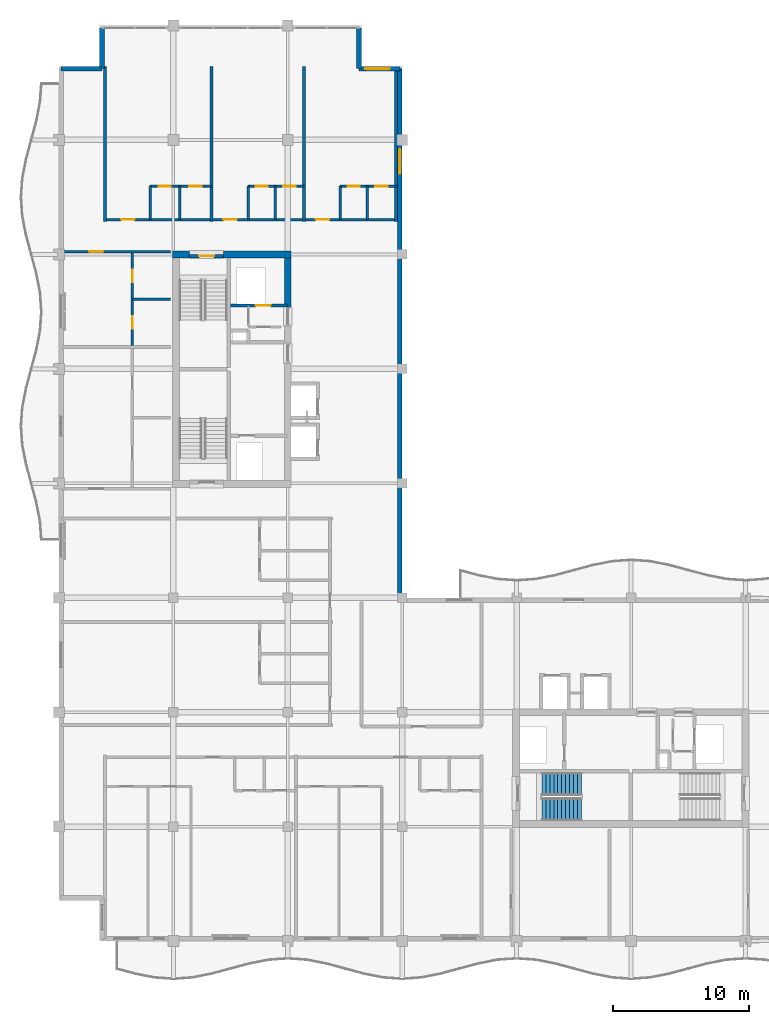
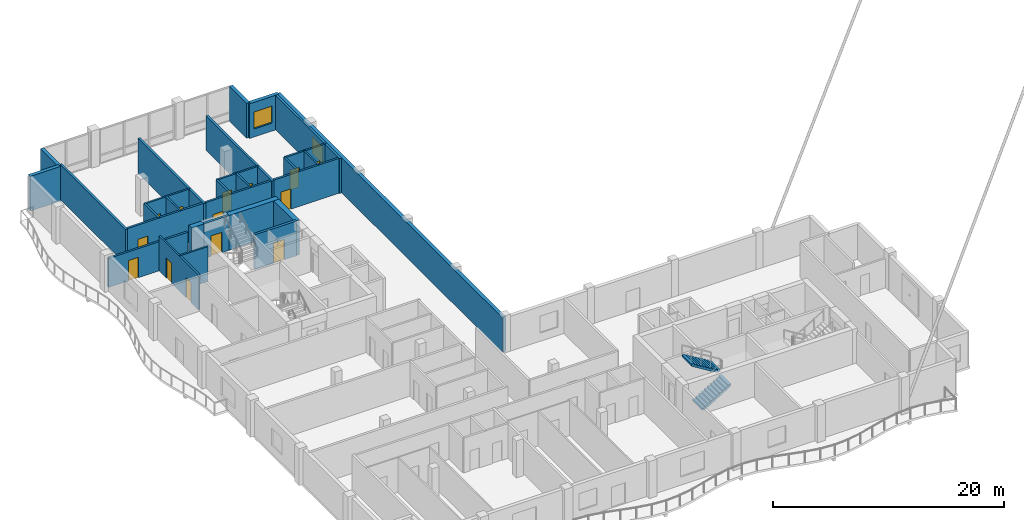
# One storey, part 11 of 17: 27 walls, 14 doors, 2 stair flights, 2 windows, 16 openings, 1 element without a shape of its own.
"""IFC4 building model written with IfcOpenShell, lengths in metres."""

from ifc_helpers import new_model, si_unit, direction, frame, frame_2d, origin, place, context, subcontext, project, spatial, polyline, rectangle, outline, extrude, material, layer, layer_set, type_object, element, fill, aggregate, save


model = new_model("IFC4")

# Units and contexts
model_context = context("Model", 3, precision=1e-05, world=origin(), true_north=direction((0.0, 1.0)))
body_context = subcontext(model_context, "Body", "Model", "MODEL_VIEW")
ifc_project = project(units=[si_unit("LENGTHUNIT", "METRE"), si_unit("AREAUNIT", "SQUARE_METRE"), si_unit("VOLUMEUNIT", "CUBIC_METRE"), si_unit("PLANEANGLEUNIT", "RADIAN"), si_unit("MASSUNIT", "GRAM", prefix="KILO")], contexts=[model_context])

# Site, building, storey
site_placement = place(None, origin())
site = spatial("IfcSite", under=ifc_project, at=site_placement, CompositionType="ELEMENT")
building_placement = place(site_placement, origin())
building = spatial("IfcBuilding", under=site, at=building_placement, Name="Koriwani Terraces Tower", CompositionType="ELEMENT")
storey_placement = place(building_placement, frame((0.0, 0.0, 332.0)))
storey = spatial("IfcBuildingStorey", under=building, at=storey_placement, Name="L82", CompositionType="ELEMENT", Elevation=332.0)

# Walls
ifc_material_1 = material(Name="Concrete C50/60", Category="concrete")
ifc_layer_1 = layer(ifc_material_1, 0.5, Name="Concrete C50/60")
ifc_layer_set_1 = layer_set([ifc_layer_1], Name="Concrete C50/60")
wall_type_1 = type_object("IfcWallType", Name="WALL_CORE_RC_500", PredefinedType="SHEAR", material=ifc_layer_set_1)
wall_1_placement = place(storey_placement, frame((16.75, 58.800048828125, 0.0), z_axis=(0.0, 0.0, 1.0), x_axis=(1.0, 0.0, 0.0)))
element("IfcWall", 1, at=wall_1_placement, inside=storey, type_object=wall_type_1, Name="L82 West Split Core Shear Wall N1", PredefinedType="SHEAR", context=body_context, shape_type="SweptSolid", body=[
    extrude(rectangle(XDim=1.25, YDim=0.5, at=frame_2d((0.625, 0.0))), origin(), (0.0, 0.0, 1.0), 3.669921875),
])
wall_2_placement = place(storey_placement, frame((20.5, 58.800048828125, 0.0), z_axis=(0.0, 0.0, 1.0), x_axis=(1.0, 0.0, 0.0)))
element("IfcWall", 2, at=wall_2_placement, inside=storey, type_object=wall_type_1, Name="L82 West Split Core Shear Wall N2", PredefinedType="SHEAR", context=body_context, shape_type="SweptSolid", body=[
    extrude(rectangle(XDim=4.949951171875, YDim=0.5, at=frame_2d((2.47509765625, 0.0))), origin(), (0.0, 0.0, 1.0), 3.669921875),
])
wall_3_placement = place(storey_placement, frame((25.199951171875, 54.949951171875, 0.0), z_axis=(0.0, 0.0, 1.0), x_axis=(0.0, 1.0, 0.0)))
element("IfcWall", 3, at=wall_3_placement, inside=storey, type_object=wall_type_1, Name="L82 West Split Core Shear Wall E3", PredefinedType="SHEAR", context=body_context, shape_type="SweptSolid", body=[
    extrude(rectangle(XDim=3.60009765625, YDim=0.5, at=frame_2d((1.800048828125, 0.0))), origin(), (0.0, 0.0, 1.0), 3.669921875),
])

# Wall, opening, door
ifc_material_2 = material(Name="Autoclaved Cellular Concrete Blockwork", Category="masonry")
ifc_layer_2 = layer(ifc_material_2, 0.199951171875, Name="Autoclaved Cellular Concrete Blockwork")
ifc_layer_set_2 = layer_set([ifc_layer_2], Name="Autoclaved Cellular Concrete Blockwork")
wall_type_2 = type_object("IfcWallType", Name="WALL_CORRIDOR_200", PredefinedType="PARTITIONING", material=ifc_layer_set_2)
wall_4_placement = place(storey_placement, frame((8.64990234375, 59.0, 0.0), z_axis=(0.0, 0.0, 1.0), x_axis=(1.0, 0.0, 0.0)))
wall_4 = element("IfcWall", 4, at=wall_4_placement, inside=storey, type_object=wall_type_2, Name="L82 Interior Wall WRZ4-WN-L82", PredefinedType="PARTITIONING", context=body_context, shape_type="SweptSolid", body=[
    extrude(rectangle(XDim=7.9501953125, YDim=0.199951171875, at=frame_2d((3.97509765625, 0.0))), origin(), (0.0, 0.0, 1.0), 3.070068359375),
])
opening_1_placement = place(wall_4_placement, frame((2.0, 0.0, 0.0)))
opening_1 = element("IfcOpeningElement", 5, at=opening_1_placement, cuts=wall_4, Name="Opening D-05", PredefinedType="OPENING", context=body_context, shape_type="SweptSolid", body=[
    extrude(rectangle(XDim=1.0, YDim=2.14990234375, at=frame_2d((0.5, 1.074951171875))), frame((0.0, 0.10986328125, 0.0), z_axis=(0.0, -1.0, 0.0), x_axis=(1.0, 0.0, 0.0)), (0.0, 0.0, 1.0), 0.219970703125),
])
ifc_material_3 = material(Name="Architectural Oak Fire Door", Category="wood")
door_type_1 = type_object("IfcDoorType", Name="DOOR_SUITE_ENTRY_1000X2150", OperationType="NOTDEFINED", PredefinedType="DOOR", material=ifc_material_3)
door_1_placement = place(opening_1_placement, origin())
door_1 = element("IfcDoor", 6, at=door_1_placement, inside=storey, type_object=door_type_1, Name="Apartment 82RW2 Entrance Door", OperationType="SINGLE_SWING_RIGHT", OverallHeight=2.14990234375, OverallWidth=1.0, PredefinedType="DOOR", context=body_context, shape_type="SweptSolid", body=[
    extrude(rectangle(XDim=1.0, YDim=2.14990234375, at=frame_2d((0.5, 1.074951171875))), frame((0.0, 0.02490234375, 0.0), z_axis=(0.0, -1.0, 0.0), x_axis=(1.0, 0.0, 0.0)), (0.0, 0.0, 1.0), 0.050048828125),
])
fill(opening_1, door_1)

# Wall, openings, doors
wall_5_placement = place(storey_placement, frame((11.800048828125, 61.35009765625, 0.0), z_axis=(0.0, 0.0, 1.0), x_axis=(1.0, 0.0, 0.0)))
wall_5 = element("IfcWall", 7, at=wall_5_placement, inside=storey, type_object=wall_type_2, Name="L82 Interior Wall WRCOR-L82-NTS-0", PredefinedType="PARTITIONING", context=body_context, shape_type="SweptSolid", body=[
    extrude(rectangle(XDim=21.349853515625, YDim=0.199951171875, at=frame_2d((10.6748046875, 0.0))), origin(), (0.0, 0.0, 1.0), 3.669921875),
])
opening_2_placement = place(wall_5_placement, frame((1.169921875, 0.0, 0.0)))
opening_2 = element("IfcOpeningElement", 8, at=opening_2_placement, cuts=wall_5, Name="Opening D-05", PredefinedType="OPENING", context=body_context, shape_type="SweptSolid", body=[
    extrude(rectangle(XDim=1.0, YDim=2.14990234375, at=frame_2d((0.5, 1.074951171875))), frame((0.0, 0.10986328125, 0.0), z_axis=(0.0, -1.0, 0.0), x_axis=(1.0, 0.0, 0.0)), (0.0, 0.0, 1.0), 0.219970703125),
])
opening_3_placement = place(wall_5_placement, frame((8.669921875, 0.0, 0.0)))
opening_3 = element("IfcOpeningElement", 9, at=opening_3_placement, cuts=wall_5, Name="Opening D-05", PredefinedType="OPENING", context=body_context, shape_type="SweptSolid", body=[
    extrude(rectangle(XDim=1.0, YDim=2.14990234375, at=frame_2d((0.5, 1.074951171875))), frame((0.0, 0.10986328125, 0.0), z_axis=(0.0, -1.0, 0.0), x_axis=(1.0, 0.0, 0.0)), (0.0, 0.0, 1.0), 0.219970703125),
])
opening_4_placement = place(wall_5_placement, frame((15.445068359375, 0.0, 0.0)))
opening_4 = element("IfcOpeningElement", 10, at=opening_4_placement, cuts=wall_5, Name="Opening D-05", PredefinedType="OPENING", context=body_context, shape_type="SweptSolid", body=[
    extrude(rectangle(XDim=1.0, YDim=2.14990234375, at=frame_2d((0.5, 1.074951171875))), frame((0.0, 0.10986328125, 0.0), z_axis=(0.0, -1.0, 0.0), x_axis=(1.0, 0.0, 0.0)), (0.0, 0.0, 1.0), 0.219970703125),
])
door_2_placement = place(opening_2_placement, origin())
door_2 = element("IfcDoor", 11, at=door_2_placement, inside=storey, type_object=door_type_1, Name="Apartment 82NTS1 Entrance Door", OperationType="SINGLE_SWING_LEFT", OverallHeight=2.14990234375, OverallWidth=1.0, PredefinedType="DOOR", context=body_context, shape_type="SweptSolid", body=[
    extrude(rectangle(XDim=1.0, YDim=2.14990234375, at=frame_2d((0.5, 1.074951171875))), frame((0.0, 0.02490234375, 0.0), z_axis=(0.0, -1.0, 0.0), x_axis=(1.0, 0.0, 0.0)), (0.0, 0.0, 1.0), 0.050048828125),
])
fill(opening_2, door_2)
door_3_placement = place(opening_3_placement, origin())
door_3 = element("IfcDoor", 12, at=door_3_placement, inside=storey, type_object=door_type_1, Name="Apartment 82NTS2 Entrance Door", OperationType="SINGLE_SWING_RIGHT", OverallHeight=2.14990234375, OverallWidth=1.0, PredefinedType="DOOR", context=body_context, shape_type="SweptSolid", body=[
    extrude(rectangle(XDim=1.0, YDim=2.14990234375, at=frame_2d((0.5, 1.074951171875))), frame((0.0, 0.02490234375, 0.0), z_axis=(0.0, -1.0, 0.0), x_axis=(1.0, 0.0, 0.0)), (0.0, 0.0, 1.0), 0.050048828125),
])
fill(opening_3, door_3)
door_4_placement = place(opening_4_placement, origin())
door_4 = element("IfcDoor", 13, at=door_4_placement, inside=storey, type_object=door_type_1, Name="Apartment 82NTS3 Entrance Door", OperationType="SINGLE_SWING_LEFT", OverallHeight=2.14990234375, OverallWidth=1.0, PredefinedType="DOOR", context=body_context, shape_type="SweptSolid", body=[
    extrude(rectangle(XDim=1.0, YDim=2.14990234375, at=frame_2d((0.5, 1.074951171875))), frame((0.0, 0.02490234375, 0.0), z_axis=(0.0, -1.0, 0.0), x_axis=(1.0, 0.0, 0.0)), (0.0, 0.0, 1.0), 0.050048828125),
])
fill(opening_4, door_4)

# Walls
ifc_layer_3 = layer(ifc_material_2, 0.219970703125, Name="Autoclaved Cellular Concrete Blockwork")
ifc_layer_set_3 = layer_set([ifc_layer_3], Name="Autoclaved Cellular Concrete Blockwork")
wall_type_3 = type_object("IfcWallType", Name="WALL_DEMISING_220", PredefinedType="PARTITIONING", material=ifc_layer_set_3)
for number, where, z_axis, x_axis, name in (
    (14, (11.800048828125, 61.199951171875, 0.0), (0.0, 0.0, 1.0), (0.0, 1.0, 0.0), "L82 Interior Wall WRDEM-L82-NTS-0"),
    (15, (19.60009765625, 61.199951171875, 0.0), (0.0, 0.0, 1.0), (0.0, 1.0, 0.0), "L82 Interior Wall WRDEM-L82-NTS-1"),
    (16, (26.39990234375, 61.199951171875, 0.0), (0.0, 0.0, 1.0), (0.0, 1.0, 0.0), "L82 Interior Wall WRDEM-L82-NTS-2"),
    (17, (33.14990234375, 61.199951171875, 0.0), (0.0, 0.0, 1.0), (0.0, 1.0, 0.0), "L82 Interior Wall WRDEME-L82-NTS"),
):
    element("IfcWall", number, at=place(storey_placement, frame(where, z_axis=z_axis, x_axis=x_axis)), inside=storey, type_object=wall_type_3, Name=name, PredefinedType="PARTITIONING", context=body_context, shape_type="SweptSolid", body=[
        extrude(rectangle(XDim=11.380126953125, YDim=0.219970703125, at=frame_2d((5.68994140625, 0.0))), origin(), (0.0, 0.0, 1.0), 3.669921875),
    ])
ifc_layer_4 = layer(ifc_material_1, 0.35009765625, Name="Concrete C50/60")
ifc_layer_set_4 = layer_set([ifc_layer_4], Name="Concrete C50/60")
wall_type_4 = type_object("IfcWallType", Name="WALL_EXT_BRUTALIST_350", PredefinedType="STANDARD", material=ifc_layer_set_4)
for number, where, z_axis, x_axis, name in (
    (18, (8.574951171875, 72.425048828125, 0.0), (0.0, 0.0, 1.0), (1.0, 0.0, 0.0), "L82 Fair-Faced Brutalist Exterior Wall (N3)"),
    (19, (11.574951171875, 72.425048828125, 0.0), (0.0, 0.0, 1.0), (0.0, 1.0, 0.0), "L82 Fair-Faced Brutalist Exterior Wall (N4)"),
    (20, (30.425048828125, 75.425048828125, 0.0), (0.0, 0.0, 1.0), (0.0, -1.0, 0.0), "L82 Fair-Faced Brutalist Exterior Wall (N6)"),
):
    element("IfcWall", number, at=place(storey_placement, frame(where, z_axis=z_axis, x_axis=x_axis)), inside=storey, type_object=wall_type_4, Name=name, PredefinedType="STANDARD", context=body_context, shape_type="SweptSolid", body=[
        extrude(rectangle(XDim=3.0, YDim=0.35009765625, at=frame_2d((1.5, 0.0))), origin(), (0.0, 0.0, 1.0), 3.669921875),
    ])

# Wall, opening, window
wall_6_placement = place(storey_placement, frame((30.425048828125, 72.425048828125, 0.0), z_axis=(0.0, 0.0, 1.0), x_axis=(1.0, 0.0, 0.0)))
wall_6 = element("IfcWall", 21, at=wall_6_placement, inside=storey, type_object=wall_type_4, Name="L82 Fair-Faced Brutalist Exterior Wall (N7)", PredefinedType="STANDARD", context=body_context, shape_type="SweptSolid", body=[
    extrude(rectangle(XDim=3.0, YDim=0.35009765625, at=frame_2d((1.5, 0.0))), origin(), (0.0, 0.0, 1.0), 3.669921875),
])
opening_5_placement = place(wall_6_placement, frame((0.472412109375, 0.0, 0.85009765625)))
opening_5 = element("IfcOpeningElement", 22, at=opening_5_placement, cuts=wall_6, Name="Opening W-04", PredefinedType="OPENING", context=body_context, shape_type="SweptSolid", body=[
    extrude(rectangle(XDim=1.800048828125, YDim=1.800048828125, at=frame_2d((0.89990234375, 0.89990234375))), frame((0.0, 0.18505859375, 0.0), z_axis=(0.0, -1.0, 0.0), x_axis=(1.0, 0.0, 0.0)), (0.0, 0.0, 1.0), 0.3701171875),
])
ifc_material_4 = material(Name="Tempered Laminated Low-E Glass", Category="glass")
window_type = type_object("IfcWindowType", Name="WIN_RES_BED_1800X1800", PartitioningType="DOUBLE_PANEL_VERTICAL", PredefinedType="WINDOW", material=ifc_material_4)
window_1_placement = place(opening_5_placement, origin())
window_1 = element("IfcWindow", 23, at=window_1_placement, inside=storey, type_object=window_type, Name="L82 Exterior Window (N7-R56)", OverallHeight=1.800048828125, OverallWidth=1.800048828125, PartitioningType="SINGLE_PANEL", PredefinedType="WINDOW", context=body_context, shape_type="SweptSolid", body=[
    extrude(rectangle(XDim=1.800048828125, YDim=1.800048828125, at=frame_2d((0.89990234375, 0.89990234375))), frame((0.0, 0.030029296875, 0.0), z_axis=(0.0, -1.0, 0.0), x_axis=(1.0, 0.0, 0.0)), (0.0, 0.0, 1.0), 0.06005859375),
])
fill(opening_5, window_1)

wall_7_placement = place(storey_placement, frame((33.425048828125, 72.425048828125, 0.0), z_axis=(0.0, 0.0, 1.0), x_axis=(0.0, -1.0, 0.0)))
wall_7 = element("IfcWall", 24, at=wall_7_placement, inside=storey, type_object=wall_type_4, Name="L82 Fair-Faced Brutalist Exterior Wall (NW_IN)", PredefinedType="STANDARD", context=body_context, shape_type="SweptSolid", body=[
    extrude(rectangle(XDim=39.0, YDim=0.35009765625, at=frame_2d((19.5, 0.0))), origin(), (0.0, 0.0, 1.0), 3.669921875),
])
opening_6_placement = place(wall_7_placement, frame((5.89990234375, 0.0, 0.85009765625)))
opening_6 = element("IfcOpeningElement", 25, at=opening_6_placement, cuts=wall_7, Name="Opening W-04", PredefinedType="OPENING", context=body_context, shape_type="SweptSolid", body=[
    extrude(rectangle(XDim=1.800048828125, YDim=1.800048828125, at=frame_2d((0.89990234375, 0.89990234375))), frame((0.0, 0.18505859375, 0.0), z_axis=(0.0, -1.0, 0.0), x_axis=(1.0, 0.0, 0.0)), (0.0, 0.0, 1.0), 0.3701171875),
])
window_2_placement = place(opening_6_placement, origin())
window_2 = element("IfcWindow", 26, at=window_2_placement, inside=storey, type_object=window_type, Name="L82 Exterior Window (NW_IN-R56)", OverallHeight=1.800048828125, OverallWidth=1.800048828125, PartitioningType="SINGLE_PANEL", PredefinedType="WINDOW", context=body_context, shape_type="SweptSolid", body=[
    extrude(rectangle(XDim=1.800048828125, YDim=1.800048828125, at=frame_2d((0.89990234375, 0.89990234375))), frame((0.0, 0.030029296875, 0.0), z_axis=(0.0, -1.0, 0.0), x_axis=(1.0, 0.0, 0.0)), (0.0, 0.0, 1.0), 0.06005859375),
])
fill(opening_6, window_2)

# Wall, openings, doors
ifc_material_5 = material(Name="Fire-Rated Acoustic Gypsum Partition", Category="masonry")
ifc_layer_5 = layer(ifc_material_5, 0.179931640625, Name="Fire-Rated Acoustic Gypsum Partition")
ifc_layer_set_5 = layer_set([ifc_layer_5], Name="Fire-Rated Acoustic Gypsum Partition")
wall_type_5 = type_object("IfcWallType", Name="WALL_PLUMBING_180", PredefinedType="PLUMBINGWALL", material=ifc_layer_set_5)
wall_8_placement = place(storey_placement, frame((13.800048828125, 52.10009765625, 0.0), z_axis=(0.0, 0.0, 1.0), x_axis=(0.0, 1.0, 0.0)))
wall_8 = element("IfcWall", 27, at=wall_8_placement, inside=storey, type_object=wall_type_5, Name="L82 Interior Wall WRZ4-RW2-PB-L82", PredefinedType="PLUMBINGWALL", context=body_context, shape_type="SweptSolid", body=[
    extrude(rectangle(XDim=6.7998046875, YDim=0.179931640625, at=frame_2d((3.39990234375, 0.0))), origin(), (0.0, 0.0, 1.0), 3.669921875),
])
opening_7_placement = place(wall_8_placement, frame((1.25, 0.0, 0.0)))
opening_7 = element("IfcOpeningElement", 28, at=opening_7_placement, cuts=wall_8, Name="Opening D-07", PredefinedType="OPENING", context=body_context, shape_type="SweptSolid", body=[
    extrude(rectangle(XDim=0.89990234375, YDim=2.10009765625, at=frame_2d((0.449951171875, 1.050048828125))), frame((0.0, 0.10009765625, 0.0), z_axis=(0.0, -1.0, 0.0), x_axis=(1.0, 0.0, 0.0)), (0.0, 0.0, 1.0), 0.199951171875),
])
opening_8_placement = place(wall_8_placement, frame((4.639892578125, 0.0, 0.0)))
opening_8 = element("IfcOpeningElement", 29, at=opening_8_placement, cuts=wall_8, Name="Opening D-06", PredefinedType="OPENING", context=body_context, shape_type="SweptSolid", body=[
    extrude(rectangle(XDim=0.919921875, YDim=2.10009765625, at=frame_2d((0.4599609375, 1.050048828125))), frame((0.0, 0.10009765625, 0.0), z_axis=(0.0, -1.0, 0.0), x_axis=(1.0, 0.0, 0.0)), (0.0, 0.0, 1.0), 0.199951171875),
])
door_type_2 = type_object("IfcDoorType", Name="DOOR_BATH_INT_900X2100", OperationType="NOTDEFINED", PredefinedType="DOOR", material=ifc_material_3)
door_5_placement = place(opening_7_placement, origin())
door_5 = element("IfcDoor", 30, at=door_5_placement, inside=storey, type_object=door_type_2, Name="Apartment 82RW2 Bathroom Door", OperationType="SINGLE_SWING_LEFT", OverallHeight=2.10009765625, OverallWidth=0.89990234375, PredefinedType="DOOR", context=body_context, shape_type="SweptSolid", body=[
    extrude(rectangle(XDim=0.89990234375, YDim=2.10009765625, at=frame_2d((0.449951171875, 1.050048828125))), frame((0.0, 0.02490234375, 0.0), z_axis=(0.0, -1.0, 0.0), x_axis=(1.0, 0.0, 0.0)), (0.0, 0.0, 1.0), 0.050048828125),
])
fill(opening_7, door_5)
door_type_3 = type_object("IfcDoorType", Name="DOOR_ROOM_INT_920X2100", OperationType="NOTDEFINED", PredefinedType="DOOR", material=ifc_material_3)
door_6_placement = place(opening_8_placement, origin())
door_6 = element("IfcDoor", 31, at=door_6_placement, inside=storey, type_object=door_type_3, Name="Apartment 82RW2 Kitchen Door", OperationType="SINGLE_SWING_RIGHT", OverallHeight=2.10009765625, OverallWidth=0.919921875, PredefinedType="DOOR", context=body_context, shape_type="SweptSolid", body=[
    extrude(rectangle(XDim=0.919921875, YDim=2.10009765625, at=frame_2d((0.4599609375, 1.050048828125))), frame((0.0, 0.02490234375, 0.0), z_axis=(0.0, -1.0, 0.0), x_axis=(1.0, 0.0, 0.0)), (0.0, 0.0, 1.0), 0.050048828125),
])
fill(opening_8, door_6)

# Wall
wall_9_placement = place(storey_placement, frame((13.800048828125, 55.5, 0.0), z_axis=(0.0, 0.0, 1.0), x_axis=(1.0, 0.0, 0.0)))
element("IfcWall", 32, at=wall_9_placement, inside=storey, type_object=wall_type_5, Name="L82 Interior Wall WRZ4-RW2-P2-L82", PredefinedType="PLUMBINGWALL", context=body_context, shape_type="SweptSolid", body=[
    extrude(rectangle(XDim=2.800048828125, YDim=0.179931640625, at=frame_2d((1.39990234375, 0.0))), origin(), (0.0, 0.0, 1.0), 3.669921875),
])

# Wall, openings, doors
wall_10_placement = place(storey_placement, frame((15.10009765625, 63.800048828125, 0.0), z_axis=(0.0, 0.0, 1.0), x_axis=(1.0, 0.0, 0.0)))
wall_10 = element("IfcWall", 33, at=wall_10_placement, inside=storey, type_object=wall_type_5, Name="L82 Interior Wall WRSVC-L82-NTS-0", PredefinedType="PLUMBINGWALL", context=body_context, shape_type="SweptSolid", body=[
    extrude(rectangle(XDim=4.5, YDim=0.179931640625, at=frame_2d((2.25, 0.0))), origin(), (0.0, 0.0, 1.0), 3.669921875),
])
opening_9_placement = place(wall_10_placement, frame((0.6298828125, 0.0, 0.0)))
opening_9 = element("IfcOpeningElement", 34, at=opening_9_placement, cuts=wall_10, Name="Opening D-07", PredefinedType="OPENING", context=body_context, shape_type="SweptSolid", body=[
    extrude(rectangle(XDim=0.89990234375, YDim=2.10009765625, at=frame_2d((0.449951171875, 1.050048828125))), frame((0.0, 0.10009765625, 0.0), z_axis=(0.0, -1.0, 0.0), x_axis=(1.0, 0.0, 0.0)), (0.0, 0.0, 1.0), 0.199951171875),
])
opening_10_placement = place(wall_10_placement, frame((2.8701171875, 0.0, 0.0)))
opening_10 = element("IfcOpeningElement", 35, at=opening_10_placement, cuts=wall_10, Name="Opening D-06", PredefinedType="OPENING", context=body_context, shape_type="SweptSolid", body=[
    extrude(rectangle(XDim=0.919921875, YDim=2.10009765625, at=frame_2d((0.4599609375, 1.050048828125))), frame((0.0, 0.10009765625, 0.0), z_axis=(0.0, -1.0, 0.0), x_axis=(1.0, 0.0, 0.0)), (0.0, 0.0, 1.0), 0.199951171875),
])
door_7_placement = place(opening_9_placement, origin())
door_7 = element("IfcDoor", 36, at=door_7_placement, inside=storey, type_object=door_type_2, Name="Apartment 82NTS1 Bathroom Door", OperationType="SINGLE_SWING_RIGHT", OverallHeight=2.10009765625, OverallWidth=0.89990234375, PredefinedType="DOOR", context=body_context, shape_type="SweptSolid", body=[
    extrude(rectangle(XDim=0.89990234375, YDim=2.10009765625, at=frame_2d((0.449951171875, 1.050048828125))), frame((0.0, 0.02490234375, 0.0), z_axis=(0.0, -1.0, 0.0), x_axis=(1.0, 0.0, 0.0)), (0.0, 0.0, 1.0), 0.050048828125),
])
fill(opening_9, door_7)
door_8_placement = place(opening_10_placement, origin())
door_8 = element("IfcDoor", 37, at=door_8_placement, inside=storey, type_object=door_type_3, Name="Apartment 82NTS1 Kitchen Door", OperationType="SINGLE_SWING_LEFT", OverallHeight=2.10009765625, OverallWidth=0.919921875, PredefinedType="DOOR", context=body_context, shape_type="SweptSolid", body=[
    extrude(rectangle(XDim=0.919921875, YDim=2.10009765625, at=frame_2d((0.4599609375, 1.050048828125))), frame((0.0, 0.02490234375, 0.0), z_axis=(0.0, -1.0, 0.0), x_axis=(1.0, 0.0, 0.0)), (0.0, 0.0, 1.0), 0.050048828125),
])
fill(opening_10, door_8)

# Walls
for number, where, z_axis, x_axis, name in (
    (38, (15.10009765625, 61.35009765625, 0.0), (0.0, 0.0, 1.0), (0.0, 1.0, 0.0), "L82 Interior Wall WRSVCS-L82-NTS-0"),
    (39, (17.260009765625, 61.35009765625, 0.0), (0.0, 0.0, 1.0), (0.0, 1.0, 0.0), "L82 Interior Wall WRSVCM-L82-NTS-0"),
):
    element("IfcWall", number, at=place(storey_placement, frame(where, z_axis=z_axis, x_axis=x_axis)), inside=storey, type_object=wall_type_5, Name=name, PredefinedType="PLUMBINGWALL", context=body_context, shape_type="SweptSolid", body=[
        extrude(rectangle(XDim=2.449951171875, YDim=0.179931640625, at=frame_2d((1.22509765625, 0.0))), origin(), (0.0, 0.0, 1.0), 3.669921875),
    ])

# Wall, openings, doors
wall_11_placement = place(storey_placement, frame((22.300048828125, 63.800048828125, 0.0), z_axis=(0.0, 0.0, 1.0), x_axis=(1.0, 0.0, 0.0)))
wall_11 = element("IfcWall", 40, at=wall_11_placement, inside=storey, type_object=wall_type_5, Name="L82 Interior Wall WRSVC-L82-NTS-1", PredefinedType="PLUMBINGWALL", context=body_context, shape_type="SweptSolid", body=[
    extrude(rectangle(XDim=4.099853515625, YDim=0.179931640625, at=frame_2d((2.0498046875, 0.0))), origin(), (0.0, 0.0, 1.0), 3.669921875),
])
opening_11_placement = place(wall_11_placement, frame((0.533935546875, 0.0, 0.0)))
opening_11 = element("IfcOpeningElement", 41, at=opening_11_placement, cuts=wall_11, Name="Opening D-07", PredefinedType="OPENING", context=body_context, shape_type="SweptSolid", body=[
    extrude(rectangle(XDim=0.89990234375, YDim=2.10009765625, at=frame_2d((0.449951171875, 1.050048828125))), frame((0.0, 0.10009765625, 0.0), z_axis=(0.0, -1.0, 0.0), x_axis=(1.0, 0.0, 0.0)), (0.0, 0.0, 1.0), 0.199951171875),
])
opening_12_placement = place(wall_11_placement, frame((2.573974609375, 0.0, 0.0)))
opening_12 = element("IfcOpeningElement", 42, at=opening_12_placement, cuts=wall_11, Name="Opening D-06", PredefinedType="OPENING", context=body_context, shape_type="SweptSolid", body=[
    extrude(rectangle(XDim=0.919921875, YDim=2.10009765625, at=frame_2d((0.4599609375, 1.050048828125))), frame((0.0, 0.10009765625, 0.0), z_axis=(0.0, -1.0, 0.0), x_axis=(1.0, 0.0, 0.0)), (0.0, 0.0, 1.0), 0.199951171875),
])
door_9_placement = place(opening_11_placement, origin())
door_9 = element("IfcDoor", 43, at=door_9_placement, inside=storey, type_object=door_type_2, Name="Apartment 82NTS2 Bathroom Door", OperationType="SINGLE_SWING_LEFT", OverallHeight=2.10009765625, OverallWidth=0.89990234375, PredefinedType="DOOR", context=body_context, shape_type="SweptSolid", body=[
    extrude(rectangle(XDim=0.89990234375, YDim=2.10009765625, at=frame_2d((0.449951171875, 1.050048828125))), frame((0.0, 0.02490234375, 0.0), z_axis=(0.0, -1.0, 0.0), x_axis=(1.0, 0.0, 0.0)), (0.0, 0.0, 1.0), 0.050048828125),
])
fill(opening_11, door_9)
door_10_placement = place(opening_12_placement, origin())
door_10 = element("IfcDoor", 44, at=door_10_placement, inside=storey, type_object=door_type_3, Name="Apartment 82NTS2 Kitchen Door", OperationType="SINGLE_SWING_RIGHT", OverallHeight=2.10009765625, OverallWidth=0.919921875, PredefinedType="DOOR", context=body_context, shape_type="SweptSolid", body=[
    extrude(rectangle(XDim=0.919921875, YDim=2.10009765625, at=frame_2d((0.4599609375, 1.050048828125))), frame((0.0, 0.02490234375, 0.0), z_axis=(0.0, -1.0, 0.0), x_axis=(1.0, 0.0, 0.0)), (0.0, 0.0, 1.0), 0.050048828125),
])
fill(opening_12, door_10)

# Walls
for number, where, z_axis, x_axis, name in (
    (45, (22.300048828125, 61.35009765625, 0.0), (0.0, 0.0, 1.0), (0.0, 1.0, 0.0), "L82 Interior Wall WRSVCS-L82-NTS-1"),
    (46, (24.26806640625, 61.35009765625, 0.0), (0.0, 0.0, 1.0), (0.0, 1.0, 0.0), "L82 Interior Wall WRSVCM-L82-NTS-1"),
):
    element("IfcWall", number, at=place(storey_placement, frame(where, z_axis=z_axis, x_axis=x_axis)), inside=storey, type_object=wall_type_5, Name=name, PredefinedType="PLUMBINGWALL", context=body_context, shape_type="SweptSolid", body=[
        extrude(rectangle(XDim=2.449951171875, YDim=0.179931640625, at=frame_2d((1.22509765625, 0.0))), origin(), (0.0, 0.0, 1.0), 3.669921875),
    ])

# Wall, openings, doors
wall_12_placement = place(storey_placement, frame((29.050048828125, 63.800048828125, 0.0), z_axis=(0.0, 0.0, 1.0), x_axis=(1.0, 0.0, 0.0)))
wall_12 = element("IfcWall", 47, at=wall_12_placement, inside=storey, type_object=wall_type_5, Name="L82 Interior Wall WRSVC-L82-NTS-2", PredefinedType="PLUMBINGWALL", context=body_context, shape_type="SweptSolid", body=[
    extrude(rectangle(XDim=4.099853515625, YDim=0.179931640625, at=frame_2d((2.0498046875, 0.0))), origin(), (0.0, 0.0, 1.0), 3.669921875),
])
opening_13_placement = place(wall_12_placement, frame((0.533935546875, 0.0, 0.0)))
opening_13 = element("IfcOpeningElement", 48, at=opening_13_placement, cuts=wall_12, Name="Opening D-07", PredefinedType="OPENING", context=body_context, shape_type="SweptSolid", body=[
    extrude(rectangle(XDim=0.89990234375, YDim=2.10009765625, at=frame_2d((0.449951171875, 1.050048828125))), frame((0.0, 0.10009765625, 0.0), z_axis=(0.0, -1.0, 0.0), x_axis=(1.0, 0.0, 0.0)), (0.0, 0.0, 1.0), 0.199951171875),
])
opening_14_placement = place(wall_12_placement, frame((2.573974609375, 0.0, 0.0)))
opening_14 = element("IfcOpeningElement", 49, at=opening_14_placement, cuts=wall_12, Name="Opening D-06", PredefinedType="OPENING", context=body_context, shape_type="SweptSolid", body=[
    extrude(rectangle(XDim=0.919921875, YDim=2.10009765625, at=frame_2d((0.4599609375, 1.050048828125))), frame((0.0, 0.10009765625, 0.0), z_axis=(0.0, -1.0, 0.0), x_axis=(1.0, 0.0, 0.0)), (0.0, 0.0, 1.0), 0.199951171875),
])
door_11_placement = place(opening_13_placement, origin())
door_11 = element("IfcDoor", 50, at=door_11_placement, inside=storey, type_object=door_type_2, Name="Apartment 82NTS3 Bathroom Door", OperationType="SINGLE_SWING_RIGHT", OverallHeight=2.10009765625, OverallWidth=0.89990234375, PredefinedType="DOOR", context=body_context, shape_type="SweptSolid", body=[
    extrude(rectangle(XDim=0.89990234375, YDim=2.10009765625, at=frame_2d((0.449951171875, 1.050048828125))), frame((0.0, 0.02490234375, 0.0), z_axis=(0.0, -1.0, 0.0), x_axis=(1.0, 0.0, 0.0)), (0.0, 0.0, 1.0), 0.050048828125),
])
fill(opening_13, door_11)
door_12_placement = place(opening_14_placement, origin())
door_12 = element("IfcDoor", 51, at=door_12_placement, inside=storey, type_object=door_type_3, Name="Apartment 82NTS3 Kitchen Door", OperationType="SINGLE_SWING_LEFT", OverallHeight=2.10009765625, OverallWidth=0.919921875, PredefinedType="DOOR", context=body_context, shape_type="SweptSolid", body=[
    extrude(rectangle(XDim=0.919921875, YDim=2.10009765625, at=frame_2d((0.4599609375, 1.050048828125))), frame((0.0, 0.02490234375, 0.0), z_axis=(0.0, -1.0, 0.0), x_axis=(1.0, 0.0, 0.0)), (0.0, 0.0, 1.0), 0.050048828125),
])
fill(opening_14, door_12)

# Walls
for number, where, z_axis, x_axis, name in (
    (52, (29.050048828125, 61.35009765625, 0.0), (0.0, 0.0, 1.0), (0.0, 1.0, 0.0), "L82 Interior Wall WRSVCS-L82-NTS-2"),
    (53, (31.01806640625, 61.35009765625, 0.0), (0.0, 0.0, 1.0), (0.0, 1.0, 0.0), "L82 Interior Wall WRSVCM-L82-NTS-2"),
):
    element("IfcWall", number, at=place(storey_placement, frame(where, z_axis=z_axis, x_axis=x_axis)), inside=storey, type_object=wall_type_5, Name=name, PredefinedType="PLUMBINGWALL", context=body_context, shape_type="SweptSolid", body=[
        extrude(rectangle(XDim=2.449951171875, YDim=0.179931640625, at=frame_2d((1.22509765625, 0.0))), origin(), (0.0, 0.0, 1.0), 3.669921875),
    ])

# Wall, opening, door
ifc_material_6 = material(Name="Concrete C40/50", Category="concrete")
ifc_layer_6 = layer(ifc_material_6, 0.25, Name="Concrete C40/50")
ifc_layer_set_6 = layer_set([ifc_layer_6], Name="Concrete C40/50")
wall_type_6 = type_object("IfcWallType", Name="WALL_SHAFT_RATED_250", PredefinedType="SOLIDWALL", material=ifc_layer_set_6)
wall_13_placement = place(storey_placement, frame((18.0, 58.675048828125, 0.0), z_axis=(0.0, 0.0, 1.0), x_axis=(1.0, 0.0, 0.0)))
wall_13 = element("IfcWall", 54, at=wall_13_placement, inside=storey, type_object=wall_type_6, Name="L82 Interior Wall WIN-CW-L82-STN", PredefinedType="SOLIDWALL", context=body_context, shape_type="SweptSolid", body=[
    extrude(rectangle(XDim=2.5, YDim=0.25, at=frame_2d((1.25, 0.0))), origin(), (0.0, 0.0, 1.0), 3.669921875),
])
opening_15_placement = place(wall_13_placement, frame((0.699951171875, 0.0, 0.0)))
opening_15 = element("IfcOpeningElement", 55, at=opening_15_placement, cuts=wall_13, Name="Opening D-03", PredefinedType="OPENING", context=body_context, shape_type="SweptSolid", body=[
    extrude(rectangle(XDim=1.10009765625, YDim=2.14990234375, at=frame_2d((0.550048828125, 1.074951171875))), frame((0.0, 0.135009765625, 0.0), z_axis=(0.0, -1.0, 0.0), x_axis=(1.0, 0.0, 0.0)), (0.0, 0.0, 1.0), 0.27001953125),
])
ifc_material_7 = material(Name="Steel ASTM A572 Grade 50", Category="steel")
door_type_4 = type_object("IfcDoorType", Name="DOOR_STAIR_FIRE_1100X2150", OperationType="NOTDEFINED", PredefinedType="DOOR", material=ifc_material_7)
door_13_placement = place(opening_15_placement, origin())
door_13 = element("IfcDoor", 56, at=door_13_placement, inside=storey, type_object=door_type_4, Name="L82 Exit Stair ST-W2 Door", OperationType="SINGLE_SWING_LEFT", OverallHeight=2.14990234375, OverallWidth=1.10009765625, PredefinedType="DOOR", context=body_context, shape_type="SweptSolid", body=[
    extrude(rectangle(XDim=1.10009765625, YDim=2.14990234375, at=frame_2d((0.550048828125, 1.074951171875))), frame((0.0, 0.02490234375, 0.0), z_axis=(0.0, -1.0, 0.0), x_axis=(1.0, 0.0, 0.0)), (0.0, 0.0, 1.0), 0.050048828125),
])
fill(opening_15, door_13)

wall_14_placement = place(storey_placement, frame((21.0, 55.050048828125, 0.0), z_axis=(0.0, 0.0, 1.0), x_axis=(1.0, 0.0, 0.0)))
wall_14 = element("IfcWall", 57, at=wall_14_placement, inside=storey, type_object=wall_type_6, Name="L82 Interior Wall WIN-CW-L82-SE", PredefinedType="SOLIDWALL", context=body_context, shape_type="SweptSolid", body=[
    extrude(rectangle(XDim=4.14990234375, YDim=0.25, at=frame_2d((2.074951171875, 0.0))), origin(), (0.0, 0.0, 1.0), 3.669921875),
])
opening_16_placement = place(wall_14_placement, frame((1.85009765625, 0.0, 0.0)))
opening_16 = element("IfcOpeningElement", 58, at=opening_16_placement, cuts=wall_14, Name="Opening LD-01", PredefinedType="OPENING", context=body_context, shape_type="SweptSolid", body=[
    extrude(rectangle(XDim=1.10009765625, YDim=2.14990234375, at=frame_2d((0.550048828125, 1.074951171875))), frame((0.0, 0.135009765625, 0.0), z_axis=(0.0, -1.0, 0.0), x_axis=(1.0, 0.0, 0.0)), (0.0, 0.0, 1.0), 0.27001953125),
])
door_type_5 = type_object("IfcDoorType", Name="DOOR_LIFT_LANDING_1100X2200", OperationType="NOTDEFINED", PredefinedType="DOOR", material=ifc_material_7)
door_14_placement = place(opening_16_placement, origin())
door_14 = element("IfcDoor", 59, at=door_14_placement, inside=storey, type_object=door_type_5, Name="L82 Goods Lift SE-01 Landing Door", OperationType="SLIDING_TO_LEFT", OverallHeight=2.14990234375, OverallWidth=1.10009765625, PredefinedType="DOOR", context=body_context, shape_type="SweptSolid", body=[
    extrude(rectangle(XDim=1.10009765625, YDim=2.14990234375, at=frame_2d((0.550048828125, 1.074951171875))), frame((0.0, 0.02490234375, 0.0), z_axis=(0.0, -1.0, 0.0), x_axis=(1.0, 0.0, 0.0)), (0.0, 0.0, 1.0), 0.050048828125),
])
fill(opening_16, door_14)

# Stair, stair flights
stair_type = type_object("IfcStairType", Name="STAIR_CORE_DOGLEG_1650", PredefinedType="TWO_STRAIGHT_RUN_STAIR", material=ifc_material_6)
stair_placement = place(storey_placement, origin())
stair = element("IfcStair", 60, at=stair_placement, inside=storey, type_object=stair_type, Name="L82 East Core Exit Stair 1", PredefinedType="HALF_TURN_STAIR")
stair_flight_type = type_object("IfcStairFlightType", Name="STAIR_FLIGHT_RC_1650", PredefinedType="STRAIGHT", material=ifc_material_6)
stair_flight_1_placement = place(storey_placement, frame((43.85009765625, 18.074951171875, 0.0), z_axis=(0.0, 0.0, 1.0), x_axis=(1.0, 0.0, 0.0)))
stair_flight_1 = element("IfcStairFlight", 61, at=stair_flight_1_placement, type_object=stair_flight_type, Name="ST-E1 flight 1", NumberOfRisers=11, NumberOfTreads=10, PredefinedType="STRAIGHT", RiserHeight=0.177272727, TreadLength=0.29, context=body_context, shape_type="SweptSolid", body=[
    extrude(outline(polyline([(0.0, 0.0), (0.0, 0.17724609375), (0.2900390625, 0.17724609375), (0.2900390625, 0.3544921875), (0.580078125, 0.3544921875), (0.580078125, 0.53173828125), (0.8701171875, 0.53173828125), (0.8701171875, 0.708984375), (1.159912109375, 0.708984375), (1.159912109375, 0.886474609375), (1.449951171875, 0.886474609375), (1.449951171875, 1.063720703125), (1.739990234375, 1.063720703125), (1.739990234375, 1.240966796875), (2.030029296875, 1.240966796875), (2.030029296875, 1.418212890625), (2.320068359375, 1.418212890625), (2.320068359375, 1.595458984375), (2.610107421875, 1.595458984375), (2.610107421875, 1.772705078125), (2.89990234375, 1.772705078125), (2.89990234375, 1.949951171875), (2.89990234375, 1.561767578125), (0.344970703125, 0.0), (0.0, 0.0)])), frame((0.0, 0.824951171875, 0.0), z_axis=(0.0, -1.0, 0.0), x_axis=(1.0, 0.0, 0.0)), (0.0, 0.0, 1.0), 1.64990234375),
])
stair_flight_2_placement = place(storey_placement, frame((46.75, 19.925048828125, 1.949951171875), z_axis=(0.0, 0.0, 1.0), x_axis=(-1.0, 0.0, 0.0)))
stair_flight_2 = element("IfcStairFlight", 62, at=stair_flight_2_placement, type_object=stair_flight_type, Name="ST-E1 flight 2", NumberOfRisers=11, NumberOfTreads=10, PredefinedType="STRAIGHT", RiserHeight=0.177272727, TreadLength=0.29, context=body_context, shape_type="SweptSolid", body=[
    extrude(outline(polyline([(0.0, 0.0), (0.0, 0.17724609375), (0.2900390625, 0.17724609375), (0.2900390625, 0.3544921875), (0.580078125, 0.3544921875), (0.580078125, 0.53173828125), (0.8701171875, 0.53173828125), (0.8701171875, 0.708984375), (1.159912109375, 0.708984375), (1.159912109375, 0.886474609375), (1.449951171875, 0.886474609375), (1.449951171875, 1.063720703125), (1.739990234375, 1.063720703125), (1.739990234375, 1.240966796875), (2.030029296875, 1.240966796875), (2.030029296875, 1.418212890625), (2.320068359375, 1.418212890625), (2.320068359375, 1.595458984375), (2.610107421875, 1.595458984375), (2.610107421875, 1.772705078125), (2.89990234375, 1.772705078125), (2.89990234375, 1.949951171875), (2.89990234375, 1.561767578125), (0.344970703125, 0.0), (0.0, 0.0)])), frame((0.0, 0.824951171875, 0.0), z_axis=(0.0, -1.0, 0.0), x_axis=(1.0, 0.0, 0.0)), (0.0, 0.0, 1.0), 1.64990234375),
])
aggregate(stair, [stair_flight_1, stair_flight_2])

save(model, "model.ifc")
